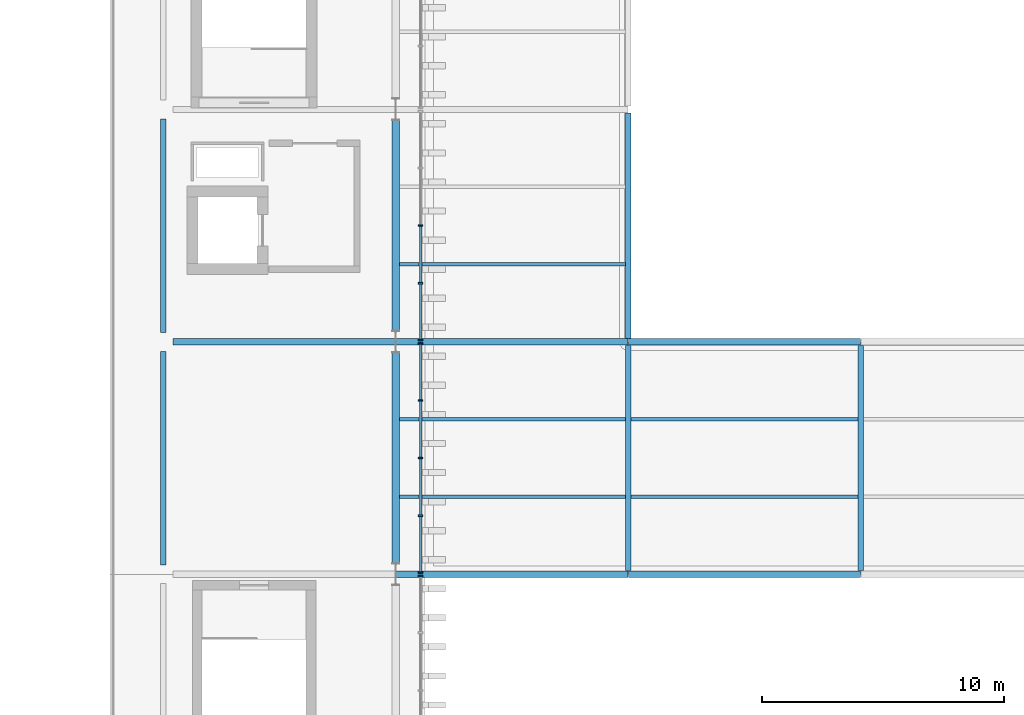
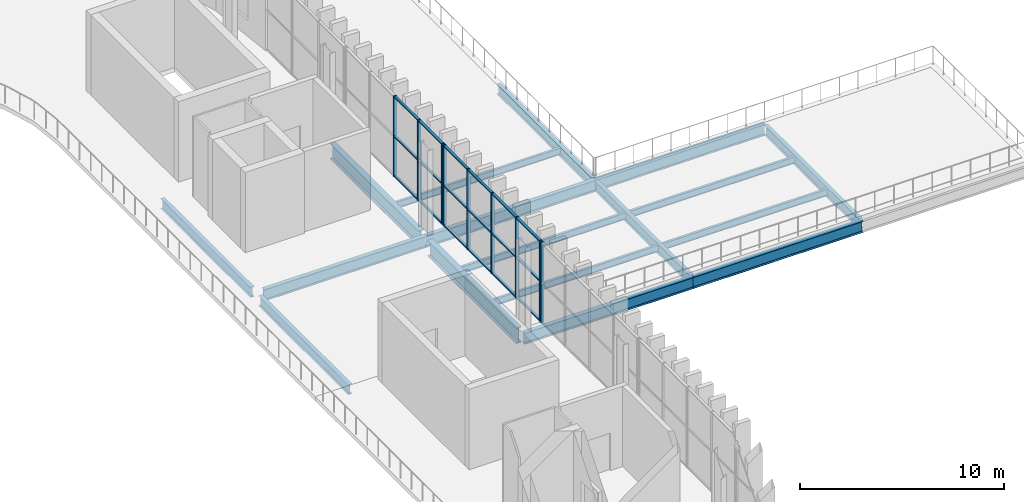
# One storey, part 16 of 45: 27 members, 17 beams, 3 elements without a shape of their own.
"""IFC4 building model written with IfcOpenShell, lengths in metres."""

from ifc_helpers import new_model, si_unit, direction, frame, origin, origin_2d, place, context, subcontext, project, spatial, rectangle, i_section, extrude, material, layer, layer_set, material_profile, profile_set, type_object, element, aggregate, save


model = new_model("IFC4")

# Units and contexts
model_context = context("Model", 3, precision=1e-05, world=origin(), true_north=direction((0.0, 1.0)))
body_context = subcontext(model_context, "Body", "Model", "MODEL_VIEW")
ifc_project = project(units=[si_unit("LENGTHUNIT", "METRE"), si_unit("AREAUNIT", "SQUARE_METRE"), si_unit("VOLUMEUNIT", "CUBIC_METRE"), si_unit("PLANEANGLEUNIT", "RADIAN"), si_unit("MASSUNIT", "GRAM", prefix="KILO")], contexts=[model_context])

# Site, building, storey
site_placement = place(None, origin())
site = spatial("IfcSite", under=ifc_project, at=site_placement, CompositionType="ELEMENT")
building_placement = place(site_placement, origin())
building = spatial("IfcBuilding", under=site, at=building_placement, Name="Caelomonte Colonnade Arena", CompositionType="ELEMENT")
storey_placement = place(building_placement, frame((0.0, 0.0, 23.10009765625)))
storey = spatial("IfcBuildingStorey", under=building, at=storey_placement, Name="L05", CompositionType="ELEMENT", Elevation=23.10009765625)

# Curtain wall, member
ifc_material_1 = material(Name="Bronze anodised aluminium and low-E glazing", Category="aluminium")
ifc_layer = layer(ifc_material_1, 0.179931640625)
ifc_layer_set = layer_set([ifc_layer], Name="Bronze anodised aluminium and low-E glazing")
curtain_wall_type = type_object("IfcCurtainWallType", Name="ENV-CW-CW-L05-96-48", PredefinedType="USERDEFINED", material=ifc_layer_set)
curtain_wall_1_placement = place(storey_placement, origin())
curtain_wall_1 = element("IfcCurtainWall", 1, at=curtain_wall_1_placement, inside=storey, type_object=curtain_wall_type, Name="L05 unitized curtain wall CW-L05-1642-0624", ObjectType="UNITIZED CURTAIN WALL", PredefinedType="USERDEFINED")
ifc_material_2 = material(Name="Bronze anodised aluminium AA6063-T6", Category="aluminium")
ifc_material_profile_1 = material_profile(ifc_material_2, rectangle(XDim=0.070068359375, YDim=0.179931640625, at=origin_2d()), Name="CWM-70X180")
ifc_profile_set_1 = profile_set([ifc_material_profile_1], Name="Bronze anodised aluminium AA6063-T6")
member_type_1 = type_object("IfcMemberType", Name="ENV-CW-MULL1", PredefinedType="MULLION", material=ifc_profile_set_1)
member_1_placement = place(storey_placement, frame((164.219970703125, 67.125, 0.0), z_axis=(0.0, 0.0, 1.0), x_axis=(0.0, 1.0, 0.0)))
member_1 = element("IfcMember", 2, at=member_1_placement, type_object=member_type_1, Name="CW-L05-96-48 mullion 5", PredefinedType="MULLION", context=body_context, shape_type="SweptSolid", body=[
    extrude(rectangle(XDim=0.070068359375, YDim=0.179931640625, at=origin_2d()), origin(), (0.0, 0.0, 1.0), 4.81982421875),
])
aggregate(curtain_wall_1, [member_1])

# Curtain wall, members
curtain_wall_2_placement = place(storey_placement, origin())
curtain_wall_2 = element("IfcCurtainWall", 3, at=curtain_wall_2_placement, inside=storey, type_object=curtain_wall_type, Name="L05 unitized curtain wall CW-L05-1642-0720", ObjectType="UNITIZED CURTAIN WALL", PredefinedType="USERDEFINED")
member_2_placement = place(storey_placement, frame((164.219970703125, 67.27490234375, 0.0), z_axis=(0.0, 0.0, 1.0), x_axis=(0.0, 1.0, 0.0)))
member_2 = element("IfcMember", 4, at=member_2_placement, type_object=member_type_1, Name="CW-L05-96-48 mullion 1", PredefinedType="MULLION", context=body_context, shape_type="SweptSolid", body=[
    extrude(rectangle(XDim=0.070068359375, YDim=0.179931640625, at=origin_2d()), origin(), (0.0, 0.0, 1.0), 4.81982421875),
])
member_3_placement = place(storey_placement, frame((164.219970703125, 69.6201171875, 0.0), z_axis=(0.0, 0.0, 1.0), x_axis=(0.0, 1.0, 0.0)))
member_3 = element("IfcMember", 5, at=member_3_placement, type_object=member_type_1, Name="CW-L05-96-48 mullion 2", PredefinedType="MULLION", context=body_context, shape_type="SweptSolid", body=[
    extrude(rectangle(XDim=0.070068359375, YDim=0.179931640625, at=origin_2d()), origin(), (0.0, 0.0, 1.0), 4.81982421875),
])
member_4_placement = place(storey_placement, frame((164.219970703125, 72.0, 0.0), z_axis=(0.0, 0.0, 1.0), x_axis=(0.0, 1.0, 0.0)))
member_4 = element("IfcMember", 6, at=member_4_placement, type_object=member_type_1, Name="CW-L05-96-48 mullion 3", PredefinedType="MULLION", context=body_context, shape_type="SweptSolid", body=[
    extrude(rectangle(XDim=0.070068359375, YDim=0.179931640625, at=origin_2d()), origin(), (0.0, 0.0, 1.0), 4.81982421875),
])
member_5_placement = place(storey_placement, frame((164.219970703125, 74.3798828125, 0.0), z_axis=(0.0, 0.0, 1.0), x_axis=(0.0, 1.0, 0.0)))
member_5 = element("IfcMember", 7, at=member_5_placement, type_object=member_type_1, Name="CW-L05-96-48 mullion 4", PredefinedType="MULLION", context=body_context, shape_type="SweptSolid", body=[
    extrude(rectangle(XDim=0.070068359375, YDim=0.179931640625, at=origin_2d()), origin(), (0.0, 0.0, 1.0), 4.81982421875),
])
member_6_placement = place(storey_placement, frame((164.219970703125, 76.72509765625, 0.0), z_axis=(0.0, 0.0, 1.0), x_axis=(0.0, 1.0, 0.0)))
member_6 = element("IfcMember", 8, at=member_6_placement, type_object=member_type_1, Name="CW-L05-96-48 mullion 5", PredefinedType="MULLION", context=body_context, shape_type="SweptSolid", body=[
    extrude(rectangle(XDim=0.070068359375, YDim=0.179931640625, at=origin_2d()), origin(), (0.0, 0.0, 1.0), 4.81982421875),
])

curtain_wall_3_placement = place(storey_placement, origin())
curtain_wall_3 = element("IfcCurtainWall", 9, at=curtain_wall_3_placement, inside=storey, type_object=curtain_wall_type, Name="L05 unitized curtain wall CW-L05-1642-0816", ObjectType="UNITIZED CURTAIN WALL", PredefinedType="USERDEFINED")
member_7_placement = place(storey_placement, frame((164.219970703125, 76.875, 0.0), z_axis=(0.0, 0.0, 1.0), x_axis=(0.0, 1.0, 0.0)))
member_7 = element("IfcMember", 10, at=member_7_placement, type_object=member_type_1, Name="CW-L05-96-48 mullion 1", PredefinedType="MULLION", context=body_context, shape_type="SweptSolid", body=[
    extrude(rectangle(XDim=0.070068359375, YDim=0.179931640625, at=origin_2d()), origin(), (0.0, 0.0, 1.0), 4.81982421875),
])
member_8_placement = place(storey_placement, frame((164.219970703125, 79.219970703125, 0.0), z_axis=(0.0, 0.0, 1.0), x_axis=(0.0, 1.0, 0.0)))
member_8 = element("IfcMember", 11, at=member_8_placement, type_object=member_type_1, Name="CW-L05-96-48 mullion 2", PredefinedType="MULLION", context=body_context, shape_type="SweptSolid", body=[
    extrude(rectangle(XDim=0.070068359375, YDim=0.179931640625, at=origin_2d()), origin(), (0.0, 0.0, 1.0), 4.81982421875),
])
member_9_placement = place(storey_placement, frame((164.219970703125, 81.60009765625, 0.0), z_axis=(0.0, 0.0, 1.0), x_axis=(0.0, 1.0, 0.0)))
member_9 = element("IfcMember", 12, at=member_9_placement, type_object=member_type_1, Name="CW-L05-96-48 mullion 3", PredefinedType="MULLION", context=body_context, shape_type="SweptSolid", body=[
    extrude(rectangle(XDim=0.070068359375, YDim=0.179931640625, at=origin_2d()), origin(), (0.0, 0.0, 1.0), 4.81982421875),
])

# Member
ifc_material_profile_2 = material_profile(ifc_material_2, rectangle(XDim=0.070068359375, YDim=0.139892578125, at=origin_2d()), Name="CWT-70X140")
ifc_profile_set_2 = profile_set([ifc_material_profile_2], Name="Bronze anodised aluminium AA6063-T6")
member_type_2 = type_object("IfcMemberType", Name="ENV-CW-TRAN1", PredefinedType="USERDEFINED", material=ifc_profile_set_2)
member_10_placement = place(storey_placement, frame((164.219970703125, 67.31005859375, 0.034912109375), z_axis=(0.0, 1.0, 0.0), x_axis=(0.0, 0.0, 1.0)))
member_10 = element("IfcMember", 13, at=member_10_placement, type_object=member_type_2, Name="CW-L05-96-48 transom 1.1", ObjectType="TRANSOM", PredefinedType="USERDEFINED", context=body_context, shape_type="SweptSolid", body=[
    extrude(rectangle(XDim=0.070068359375, YDim=0.139892578125, at=origin_2d()), origin(), (0.0, 0.0, 1.0), 2.27490234375),
])

member_11_placement = place(storey_placement, frame((164.219970703125, 67.31005859375, 2.409912109375), z_axis=(0.0, 1.0, 0.0), x_axis=(0.0, 0.0, 1.0)))
member_11 = element("IfcMember", 14, at=member_11_placement, type_object=member_type_2, Name="CW-L05-96-48 transom 1.2", ObjectType="TRANSOM", PredefinedType="USERDEFINED", context=body_context, shape_type="SweptSolid", body=[
    extrude(rectangle(XDim=0.070068359375, YDim=0.139892578125, at=origin_2d()), origin(), (0.0, 0.0, 1.0), 2.27490234375),
])

member_12_placement = place(storey_placement, frame((164.219970703125, 67.31005859375, 4.784912109375), z_axis=(0.0, 1.0, 0.0), x_axis=(0.0, 0.0, 1.0)))
member_12 = element("IfcMember", 15, at=member_12_placement, type_object=member_type_2, Name="CW-L05-96-48 transom 1.3", ObjectType="TRANSOM", PredefinedType="USERDEFINED", context=body_context, shape_type="SweptSolid", body=[
    extrude(rectangle(XDim=0.070068359375, YDim=0.139892578125, at=origin_2d()), origin(), (0.0, 0.0, 1.0), 2.27490234375),
])

member_13_placement = place(storey_placement, frame((164.219970703125, 69.655029296875, 0.034912109375), z_axis=(0.0, 1.0, 0.0), x_axis=(0.0, 0.0, 1.0)))
member_13 = element("IfcMember", 16, at=member_13_placement, type_object=member_type_2, Name="CW-L05-96-48 transom 2.1", ObjectType="TRANSOM", PredefinedType="USERDEFINED", context=body_context, shape_type="SweptSolid", body=[
    extrude(rectangle(XDim=0.070068359375, YDim=0.139892578125, at=origin_2d()), origin(), (0.0, 0.0, 1.0), 2.31005859375),
])

member_14_placement = place(storey_placement, frame((164.219970703125, 69.655029296875, 2.409912109375), z_axis=(0.0, 1.0, 0.0), x_axis=(0.0, 0.0, 1.0)))
member_14 = element("IfcMember", 17, at=member_14_placement, type_object=member_type_2, Name="CW-L05-96-48 transom 2.2", ObjectType="TRANSOM", PredefinedType="USERDEFINED", context=body_context, shape_type="SweptSolid", body=[
    extrude(rectangle(XDim=0.070068359375, YDim=0.139892578125, at=origin_2d()), origin(), (0.0, 0.0, 1.0), 2.31005859375),
])

member_15_placement = place(storey_placement, frame((164.219970703125, 69.655029296875, 4.784912109375), z_axis=(0.0, 1.0, 0.0), x_axis=(0.0, 0.0, 1.0)))
member_15 = element("IfcMember", 18, at=member_15_placement, type_object=member_type_2, Name="CW-L05-96-48 transom 2.3", ObjectType="TRANSOM", PredefinedType="USERDEFINED", context=body_context, shape_type="SweptSolid", body=[
    extrude(rectangle(XDim=0.070068359375, YDim=0.139892578125, at=origin_2d()), origin(), (0.0, 0.0, 1.0), 2.31005859375),
])

member_16_placement = place(storey_placement, frame((164.219970703125, 72.034912109375, 0.034912109375), z_axis=(0.0, 1.0, 0.0), x_axis=(0.0, 0.0, 1.0)))
member_16 = element("IfcMember", 19, at=member_16_placement, type_object=member_type_2, Name="CW-L05-96-48 transom 3.1", ObjectType="TRANSOM", PredefinedType="USERDEFINED", context=body_context, shape_type="SweptSolid", body=[
    extrude(rectangle(XDim=0.070068359375, YDim=0.139892578125, at=origin_2d()), origin(), (0.0, 0.0, 1.0), 2.31005859375),
])

member_17_placement = place(storey_placement, frame((164.219970703125, 72.034912109375, 2.409912109375), z_axis=(0.0, 1.0, 0.0), x_axis=(0.0, 0.0, 1.0)))
member_17 = element("IfcMember", 20, at=member_17_placement, type_object=member_type_2, Name="CW-L05-96-48 transom 3.2", ObjectType="TRANSOM", PredefinedType="USERDEFINED", context=body_context, shape_type="SweptSolid", body=[
    extrude(rectangle(XDim=0.070068359375, YDim=0.139892578125, at=origin_2d()), origin(), (0.0, 0.0, 1.0), 2.31005859375),
])

member_18_placement = place(storey_placement, frame((164.219970703125, 72.034912109375, 4.784912109375), z_axis=(0.0, 1.0, 0.0), x_axis=(0.0, 0.0, 1.0)))
member_18 = element("IfcMember", 21, at=member_18_placement, type_object=member_type_2, Name="CW-L05-96-48 transom 3.3", ObjectType="TRANSOM", PredefinedType="USERDEFINED", context=body_context, shape_type="SweptSolid", body=[
    extrude(rectangle(XDim=0.070068359375, YDim=0.139892578125, at=origin_2d()), origin(), (0.0, 0.0, 1.0), 2.31005859375),
])

member_19_placement = place(storey_placement, frame((164.219970703125, 74.4150390625, 0.034912109375), z_axis=(0.0, 1.0, 0.0), x_axis=(0.0, 0.0, 1.0)))
member_19 = element("IfcMember", 22, at=member_19_placement, type_object=member_type_2, Name="CW-L05-96-48 transom 4.1", ObjectType="TRANSOM", PredefinedType="USERDEFINED", context=body_context, shape_type="SweptSolid", body=[
    extrude(rectangle(XDim=0.070068359375, YDim=0.139892578125, at=origin_2d()), origin(), (0.0, 0.0, 1.0), 2.27490234375),
])

member_20_placement = place(storey_placement, frame((164.219970703125, 74.4150390625, 2.409912109375), z_axis=(0.0, 1.0, 0.0), x_axis=(0.0, 0.0, 1.0)))
member_20 = element("IfcMember", 23, at=member_20_placement, type_object=member_type_2, Name="CW-L05-96-48 transom 4.2", ObjectType="TRANSOM", PredefinedType="USERDEFINED", context=body_context, shape_type="SweptSolid", body=[
    extrude(rectangle(XDim=0.070068359375, YDim=0.139892578125, at=origin_2d()), origin(), (0.0, 0.0, 1.0), 2.27490234375),
])

member_21_placement = place(storey_placement, frame((164.219970703125, 74.4150390625, 4.784912109375), z_axis=(0.0, 1.0, 0.0), x_axis=(0.0, 0.0, 1.0)))
member_21 = element("IfcMember", 24, at=member_21_placement, type_object=member_type_2, Name="CW-L05-96-48 transom 4.3", ObjectType="TRANSOM", PredefinedType="USERDEFINED", context=body_context, shape_type="SweptSolid", body=[
    extrude(rectangle(XDim=0.070068359375, YDim=0.139892578125, at=origin_2d()), origin(), (0.0, 0.0, 1.0), 2.27490234375),
])

aggregate(curtain_wall_2, [member_2, member_3, member_4, member_5, member_6, member_10, member_11, member_12, member_13, member_14, member_15, member_16, member_17, member_18, member_19, member_20, member_21])

member_22_placement = place(storey_placement, frame((164.219970703125, 76.909912109375, 0.034912109375), z_axis=(0.0, 1.0, 0.0), x_axis=(0.0, 0.0, 1.0)))
member_22 = element("IfcMember", 25, at=member_22_placement, type_object=member_type_2, Name="CW-L05-96-48 transom 1.1", ObjectType="TRANSOM", PredefinedType="USERDEFINED", context=body_context, shape_type="SweptSolid", body=[
    extrude(rectangle(XDim=0.070068359375, YDim=0.139892578125, at=origin_2d()), origin(), (0.0, 0.0, 1.0), 2.275146484375),
])

member_23_placement = place(storey_placement, frame((164.219970703125, 76.909912109375, 2.409912109375), z_axis=(0.0, 1.0, 0.0), x_axis=(0.0, 0.0, 1.0)))
member_23 = element("IfcMember", 26, at=member_23_placement, type_object=member_type_2, Name="CW-L05-96-48 transom 1.2", ObjectType="TRANSOM", PredefinedType="USERDEFINED", context=body_context, shape_type="SweptSolid", body=[
    extrude(rectangle(XDim=0.070068359375, YDim=0.139892578125, at=origin_2d()), origin(), (0.0, 0.0, 1.0), 2.275146484375),
])

member_24_placement = place(storey_placement, frame((164.219970703125, 76.909912109375, 4.784912109375), z_axis=(0.0, 1.0, 0.0), x_axis=(0.0, 0.0, 1.0)))
member_24 = element("IfcMember", 27, at=member_24_placement, type_object=member_type_2, Name="CW-L05-96-48 transom 1.3", ObjectType="TRANSOM", PredefinedType="USERDEFINED", context=body_context, shape_type="SweptSolid", body=[
    extrude(rectangle(XDim=0.070068359375, YDim=0.139892578125, at=origin_2d()), origin(), (0.0, 0.0, 1.0), 2.275146484375),
])

member_25_placement = place(storey_placement, frame((164.219970703125, 79.2548828125, 0.034912109375), z_axis=(0.0, 1.0, 0.0), x_axis=(0.0, 0.0, 1.0)))
member_25 = element("IfcMember", 28, at=member_25_placement, type_object=member_type_2, Name="CW-L05-96-48 transom 2.1", ObjectType="TRANSOM", PredefinedType="USERDEFINED", context=body_context, shape_type="SweptSolid", body=[
    extrude(rectangle(XDim=0.070068359375, YDim=0.139892578125, at=origin_2d()), origin(), (0.0, 0.0, 1.0), 2.31005859375),
])

member_26_placement = place(storey_placement, frame((164.219970703125, 79.2548828125, 2.409912109375), z_axis=(0.0, 1.0, 0.0), x_axis=(0.0, 0.0, 1.0)))
member_26 = element("IfcMember", 29, at=member_26_placement, type_object=member_type_2, Name="CW-L05-96-48 transom 2.2", ObjectType="TRANSOM", PredefinedType="USERDEFINED", context=body_context, shape_type="SweptSolid", body=[
    extrude(rectangle(XDim=0.070068359375, YDim=0.139892578125, at=origin_2d()), origin(), (0.0, 0.0, 1.0), 2.31005859375),
])

member_27_placement = place(storey_placement, frame((164.219970703125, 79.2548828125, 4.784912109375), z_axis=(0.0, 1.0, 0.0), x_axis=(0.0, 0.0, 1.0)))
member_27 = element("IfcMember", 30, at=member_27_placement, type_object=member_type_2, Name="CW-L05-96-48 transom 2.3", ObjectType="TRANSOM", PredefinedType="USERDEFINED", context=body_context, shape_type="SweptSolid", body=[
    extrude(rectangle(XDim=0.070068359375, YDim=0.139892578125, at=origin_2d()), origin(), (0.0, 0.0, 1.0), 2.31005859375),
])

aggregate(curtain_wall_3, [member_7, member_8, member_9, member_22, member_23, member_24, member_25, member_26, member_27])

# Beams
ifc_material_3 = material(Name="Wide-flange steel ASTM A992 Grade 50", Category="steel")
ifc_material_profile_3 = material_profile(ifc_material_3, i_section(OverallWidth=0.307861328125, OverallDepth=0.927001953125, WebThickness=0.019287109375, FlangeThickness=0.031982421875, FilletRadius=0.020263671875, at=origin_2d()), Name="W36X194")
ifc_profile_set_3 = profile_set([ifc_material_profile_3], Name="Wide-flange steel ASTM A992 Grade 50")
beam_type_1 = type_object("IfcBeamType", Name="STR-BM-EAVES2", PredefinedType="SPANDREL", material=ifc_profile_set_3)
for number, where, z_axis, x_axis, name in (
    (31, (163.199951171875, 67.655517578125, -0.7236328125), (0.0, 1.0, 0.0), (-1.0, 0.0, 0.0), "L05 girder BMY-L05-1632-0672"),
    (32, (163.199951171875, 77.255615234375, -0.7236328125), (0.0, 1.0, 0.0), (-1.0, 0.0, 0.0), "L05 girder BMY-L05-1632-0768"),
):
    element("IfcBeam", number, at=place(storey_placement, frame(where, z_axis=z_axis, x_axis=x_axis)), inside=storey, type_object=beam_type_1, Name=name, PredefinedType="SPANDREL", context=body_context, shape_type="SweptSolid", body=[
        extrude(i_section(OverallWidth=0.307861328125, OverallDepth=0.927001953125, WebThickness=0.019287109375, FlangeThickness=0.031982421875, FilletRadius=0.020263671875, at=origin_2d()), origin(), (0.0, 0.0, 1.0), 8.68896484375),
    ])
ifc_material_profile_4 = material_profile(ifc_material_3, i_section(OverallWidth=0.227783203125, OverallDepth=0.60205078125, WebThickness=0.010498046875, FlangeThickness=0.014892578125, FilletRadius=0.0126953125, at=origin_2d()), Name="W24X68")
ifc_profile_set_4 = profile_set([ifc_material_profile_4], Name="Wide-flange steel ASTM A992 Grade 50")
beam_type_2 = type_object("IfcBeamType", Name="STR-BM-GIRD24B", PredefinedType="SPANDREL", material=ifc_profile_set_4)
beam_1_placement = place(storey_placement, frame((153.60009765625, 67.592041015625, -0.56103515625), z_axis=(0.0, 1.0, 0.0), x_axis=(-1.0, 0.0, 0.0)))
element("IfcBeam", 33, at=beam_1_placement, inside=storey, type_object=beam_type_2, Name="L05 girder BMY-L05-1536-0672", PredefinedType="SPANDREL", context=body_context, shape_type="SweptSolid", body=[
    extrude(i_section(OverallWidth=0.227783203125, OverallDepth=0.60205078125, WebThickness=0.010498046875, FlangeThickness=0.014892578125, FilletRadius=0.0126953125, at=origin_2d()), origin(), (0.0, 0.0, 1.0), 8.81591796875),
])
beam_2_placement = place(storey_placement, frame((153.60009765625, 77.19189453125, -0.56103515625), z_axis=(0.0, 1.0, 0.0), x_axis=(-1.0, 0.0, 0.0)))
element("IfcBeam", 34, at=beam_2_placement, inside=storey, type_object=beam_type_2, Name="L05 girder BMY-L05-1536-0768", PredefinedType="SPANDREL", context=body_context, shape_type="SweptSolid", body=[
    extrude(i_section(OverallWidth=0.227783203125, OverallDepth=0.60205078125, WebThickness=0.010498046875, FlangeThickness=0.014892578125, FilletRadius=0.0126953125, at=origin_2d()), origin(), (0.0, 0.0, 1.0), 8.816162109375),
])
beam_3_placement = place(storey_placement, frame((172.800048828125, 67.345947265625, -0.56103515625), z_axis=(0.0, 1.0, 0.0), x_axis=(-1.0, 0.0, 0.0)))
element("IfcBeam", 35, at=beam_3_placement, inside=storey, type_object=beam_type_2, Name="L05 girder BMY-L05-1728-0672", PredefinedType="SPANDREL", context=body_context, shape_type="SweptSolid", body=[
    extrude(i_section(OverallWidth=0.227783203125, OverallDepth=0.60205078125, WebThickness=0.010498046875, FlangeThickness=0.014892578125, FilletRadius=0.0126953125, at=origin_2d()), origin(), (0.0, 0.0, 1.0), 9.30810546875),
])
beam_4_placement = place(storey_placement, frame((172.800048828125, 76.94580078125, -0.56103515625), z_axis=(0.0, 1.0, 0.0), x_axis=(-1.0, 0.0, 0.0)))
element("IfcBeam", 36, at=beam_4_placement, inside=storey, type_object=beam_type_2, Name="L05 girder BMY-L05-1728-0768", PredefinedType="SPANDREL", context=body_context, shape_type="SweptSolid", body=[
    extrude(i_section(OverallWidth=0.227783203125, OverallDepth=0.60205078125, WebThickness=0.010498046875, FlangeThickness=0.014892578125, FilletRadius=0.0126953125, at=origin_2d()), origin(), (0.0, 0.0, 1.0), 9.308349609375),
])
beam_5_placement = place(storey_placement, frame((182.39990234375, 67.345947265625, -0.56103515625), z_axis=(0.0, 1.0, 0.0), x_axis=(-1.0, 0.0, 0.0)))
element("IfcBeam", 37, at=beam_5_placement, inside=storey, type_object=beam_type_2, Name="L05 girder BMY-L05-1824-0672", PredefinedType="SPANDREL", context=body_context, shape_type="SweptSolid", body=[
    extrude(i_section(OverallWidth=0.227783203125, OverallDepth=0.60205078125, WebThickness=0.010498046875, FlangeThickness=0.014892578125, FilletRadius=0.0126953125, at=origin_2d()), origin(), (0.0, 0.0, 1.0), 9.30810546875),
])
ifc_material_profile_5 = material_profile(ifc_material_3, i_section(OverallWidth=0.2529296875, OverallDepth=0.67822265625, WebThickness=0.01171875, FlangeThickness=0.016357421875, FilletRadius=0.01513671875, at=origin_2d()), Name="W27X84")
ifc_profile_set_5 = profile_set([ifc_material_profile_5], Name="Wide-flange steel ASTM A992 Grade 50")
beam_type_3 = type_object("IfcBeamType", Name="STR-BM-GIRD27B", PredefinedType="BEAM", material=ifc_profile_set_5)
beam_6_placement = place(storey_placement, frame((163.209716796875, 67.199951171875, -0.59912109375), z_axis=(1.0, 0.0, 0.0), x_axis=(0.0, 1.0, 0.0)))
element("IfcBeam", 38, at=beam_6_placement, inside=storey, type_object=beam_type_3, Name="L05 girder BMX-L05-1632-0672", PredefinedType="BEAM", context=body_context, shape_type="SweptSolid", body=[
    extrude(i_section(OverallWidth=0.2529296875, OverallDepth=0.67822265625, WebThickness=0.01171875, FlangeThickness=0.016357421875, FilletRadius=0.01513671875, at=origin_2d()), origin(), (0.0, 0.0, 1.0), 9.58544921875),
])
beam_7_placement = place(storey_placement, frame((172.804931640625, 67.199951171875, -0.59912109375), z_axis=(1.0, 0.0, 0.0), x_axis=(0.0, 1.0, 0.0)))
element("IfcBeam", 39, at=beam_7_placement, inside=storey, type_object=beam_type_3, Name="L05 girder BMX-L05-1728-0672", PredefinedType="BEAM", context=body_context, shape_type="SweptSolid", body=[
    extrude(i_section(OverallWidth=0.2529296875, OverallDepth=0.67822265625, WebThickness=0.01171875, FlangeThickness=0.016357421875, FilletRadius=0.01513671875, at=origin_2d()), origin(), (0.0, 0.0, 1.0), 9.590087890625),
])
beam_8_placement = place(storey_placement, frame((153.991943359375, 76.800048828125, -0.59912109375), z_axis=(1.0, 0.0, 0.0), x_axis=(0.0, 1.0, 0.0)))
element("IfcBeam", 40, at=beam_8_placement, inside=storey, type_object=beam_type_3, Name="L05 girder BMX-L05-1536-0768", PredefinedType="BEAM", context=body_context, shape_type="SweptSolid", body=[
    extrude(i_section(OverallWidth=0.2529296875, OverallDepth=0.67822265625, WebThickness=0.01171875, FlangeThickness=0.016357421875, FilletRadius=0.01513671875, at=origin_2d()), origin(), (0.0, 0.0, 1.0), 9.1982421875),
])
beam_9_placement = place(storey_placement, frame((163.209716796875, 76.800048828125, -0.59912109375), z_axis=(1.0, 0.0, 0.0), x_axis=(0.0, 1.0, 0.0)))
element("IfcBeam", 41, at=beam_9_placement, inside=storey, type_object=beam_type_3, Name="L05 girder BMX-L05-1632-0768", PredefinedType="BEAM", context=body_context, shape_type="SweptSolid", body=[
    extrude(i_section(OverallWidth=0.2529296875, OverallDepth=0.67822265625, WebThickness=0.01171875, FlangeThickness=0.016357421875, FilletRadius=0.01513671875, at=origin_2d()), origin(), (0.0, 0.0, 1.0), 9.58544921875),
])
beam_10_placement = place(storey_placement, frame((172.804931640625, 76.800048828125, -0.59912109375), z_axis=(1.0, 0.0, 0.0), x_axis=(0.0, 1.0, 0.0)))
element("IfcBeam", 42, at=beam_10_placement, inside=storey, type_object=beam_type_3, Name="L05 girder BMX-L05-1728-0768", PredefinedType="BEAM", context=body_context, shape_type="SweptSolid", body=[
    extrude(i_section(OverallWidth=0.2529296875, OverallDepth=0.67822265625, WebThickness=0.01171875, FlangeThickness=0.016357421875, FilletRadius=0.01513671875, at=origin_2d()), origin(), (0.0, 0.0, 1.0), 9.590087890625),
])
ifc_material_profile_6 = material_profile(ifc_material_3, i_section(OverallWidth=0.140380859375, OverallDepth=0.40380859375, WebThickness=0.007080078125, FlangeThickness=0.01123046875, FilletRadius=0.01025390625, at=origin_2d()), Name="W16X31")
ifc_profile_set_6 = profile_set([ifc_material_profile_6], Name="Wide-flange steel ASTM A992 Grade 50")
beam_type_4 = type_object("IfcBeamType", Name="STR-BM-JOIST16B", PredefinedType="JOIST", material=ifc_profile_set_6)
for number, where, z_axis, x_axis, name in (
    (43, (163.348876953125, 70.39990234375, -0.462158203125), (1.0, 0.0, 0.0), (0.0, 1.0, 0.0), "L05 secondary joist 1"),
    (44, (163.348876953125, 73.60009765625, -0.462158203125), (1.0, 0.0, 0.0), (0.0, 1.0, 0.0), "L05 secondary joist 2"),
    (45, (163.348876953125, 80.0, -0.462158203125), (1.0, 0.0, 0.0), (0.0, 1.0, 0.0), "L05 secondary joist 1"),
):
    element("IfcBeam", number, at=place(storey_placement, frame(where, z_axis=z_axis, x_axis=x_axis)), inside=storey, type_object=beam_type_4, Name=name, PredefinedType="JOIST", context=body_context, shape_type="SweptSolid", body=[
        extrude(i_section(OverallWidth=0.140380859375, OverallDepth=0.40380859375, WebThickness=0.007080078125, FlangeThickness=0.01123046875, FilletRadius=0.01025390625, at=origin_2d()), origin(), (0.0, 0.0, 1.0), 9.34228515625),
    ])
for number, where, z_axis, x_axis, name in (
    (46, (172.908935546875, 70.39990234375, -0.462158203125), (1.0, 0.0, 0.0), (0.0, 1.0, 0.0), "L05 secondary joist 1"),
    (47, (172.908935546875, 73.60009765625, -0.462158203125), (1.0, 0.0, 0.0), (0.0, 1.0, 0.0), "L05 secondary joist 2"),
):
    element("IfcBeam", number, at=place(storey_placement, frame(where, z_axis=z_axis, x_axis=x_axis)), inside=storey, type_object=beam_type_4, Name=name, PredefinedType="JOIST", context=body_context, shape_type="SweptSolid", body=[
        extrude(i_section(OverallWidth=0.140380859375, OverallDepth=0.40380859375, WebThickness=0.007080078125, FlangeThickness=0.01123046875, FilletRadius=0.01025390625, at=origin_2d()), origin(), (0.0, 0.0, 1.0), 9.382080078125),
    ])

save(model, "model.ifc")
